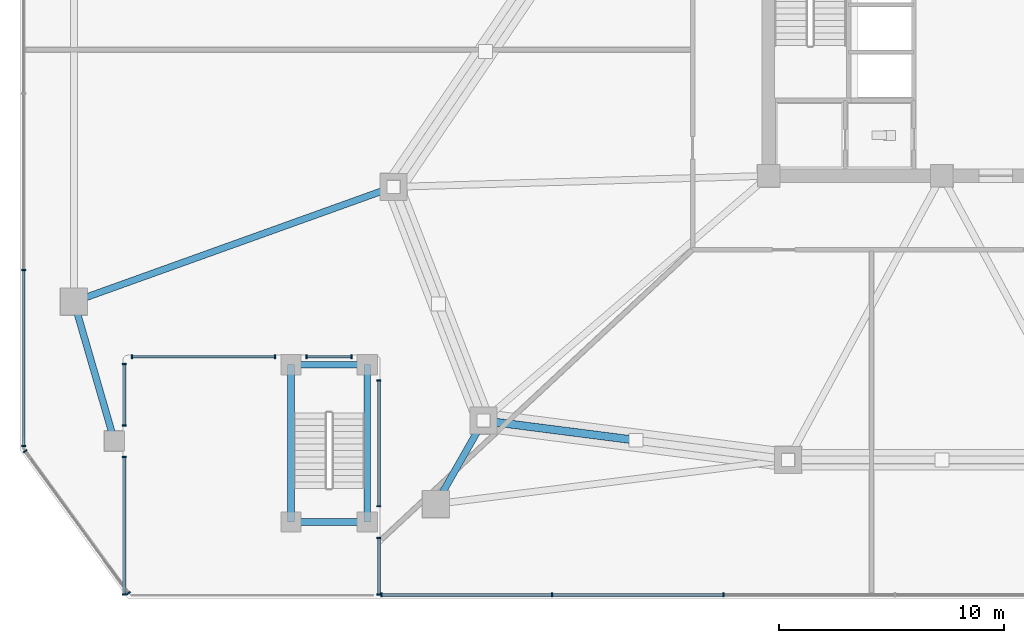
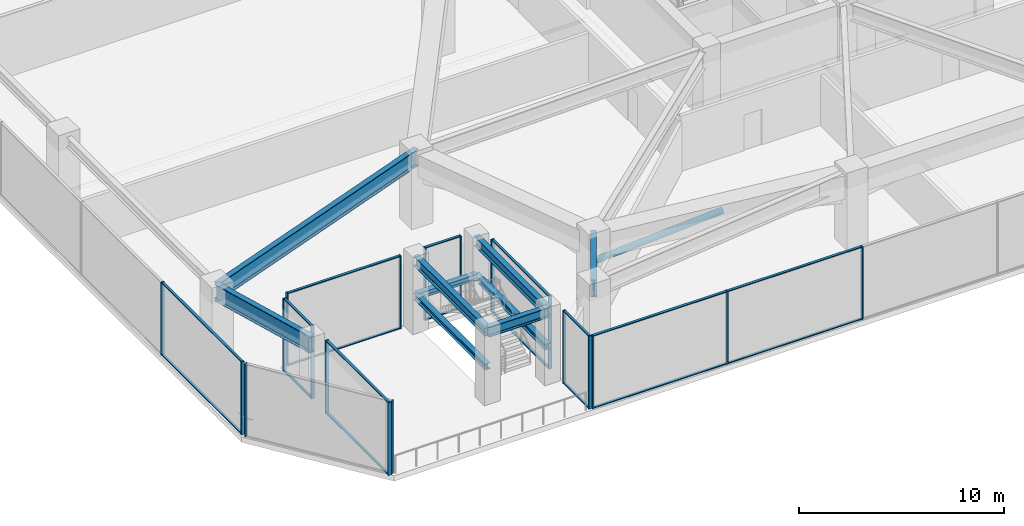
# One storey, part 2 of 23: 38 members, 9 beams, 9 elements without a shape of their own.
"""IFC4 building model written with IfcOpenShell, lengths in metres."""

from ifc_helpers import new_model, si_unit, direction, frame, origin, origin_2d, place, context, subcontext, project, spatial, rectangle, hollow_circle, i_section, extrude, material, material_profile, profile_set, type_object, element, aggregate, save


model = new_model("IFC4")

# Units and contexts
model_context = context("Model", 3, precision=1e-05, world=origin(), true_north=direction((0.0, 1.0)))
body_context = subcontext(model_context, "Body", "Model", "MODEL_VIEW")
ifc_project = project(units=[si_unit("LENGTHUNIT", "METRE"), si_unit("AREAUNIT", "SQUARE_METRE"), si_unit("VOLUMEUNIT", "CUBIC_METRE"), si_unit("PLANEANGLEUNIT", "RADIAN"), si_unit("MASSUNIT", "GRAM", prefix="KILO")], contexts=[model_context])

# Site, building, storey
site_placement = place(None, origin())
site = spatial("IfcSite", under=ifc_project, at=site_placement, CompositionType="ELEMENT")
building_placement = place(site_placement, origin())
building = spatial("IfcBuilding", under=site, at=building_placement, Name="Savorim Split Tower", CompositionType="ELEMENT")
storey_placement = place(building_placement, frame((0.0, 0.0, 21.800048828125)))
storey = spatial("IfcBuildingStorey", under=building, at=storey_placement, Name="L05", CompositionType="ELEMENT", Elevation=21.800048828125)

# Beams
ifc_material_1 = material(Name="Steel S355", Category="steel")
ifc_material_profile_1 = material_profile(ifc_material_1, i_section(OverallWidth=0.300048828125, OverallDepth=0.60009765625, WebThickness=0.015380859375, FlangeThickness=0.030029296875, FilletRadius=0.027099609375, at=origin_2d()), Name="HEB 600")
ifc_profile_set_1 = profile_set([ifc_material_profile_1], Name="Steel S355")
beam_type_1 = type_object("IfcBeamType", Name="BM-PRI-HEB600", PredefinedType="BEAM", material=ifc_profile_set_1)
beam_1_placement = place(storey_placement, frame((-28.949951171875, -24.800048828125, 4.050048828125), z_axis=(1.0, 0.0, 0.0), x_axis=(0.0, 1.0, 0.0)))
element("IfcBeam", 1, at=beam_1_placement, inside=storey, type_object=beam_type_1, Name="L05 Exterior Garden Stair Framing Beam 1", PredefinedType="BEAM", context=body_context, shape_type="SweptSolid", body=[
    extrude(i_section(OverallWidth=0.300048828125, OverallDepth=0.60009765625, WebThickness=0.015380859375, FlangeThickness=0.030029296875, FilletRadius=0.027099609375, at=origin_2d()), origin(), (0.0, 0.0, 1.0), 3.39990234375),
])
for number, where, z_axis, x_axis, name in (
    (2, (-28.949951171875, -24.800048828125, 4.050048828125), (0.0, 1.0, 0.0), (-1.0, 0.0, 0.0), "L05 Exterior Garden Stair Framing Beam 3"),
    (3, (-25.550048828125, -24.800048828125, 4.050048828125), (0.0, 1.0, 0.0), (-1.0, 0.0, 0.0), "L05 Exterior Garden Stair Framing Beam 4"),
):
    element("IfcBeam", number, at=place(storey_placement, frame(where, z_axis=z_axis, x_axis=x_axis)), inside=storey, type_object=beam_type_1, Name=name, PredefinedType="BEAM", context=body_context, shape_type="SweptSolid", body=[
        extrude(i_section(OverallWidth=0.300048828125, OverallDepth=0.60009765625, WebThickness=0.015380859375, FlangeThickness=0.030029296875, FilletRadius=0.027099609375, at=origin_2d()), origin(), (0.0, 0.0, 1.0), 7.0),
    ])
ifc_material_profile_2 = material_profile(ifc_material_1, i_section(OverallWidth=0.300048828125, OverallDepth=0.35009765625, WebThickness=0.010009765625, FlangeThickness=0.017578125, FilletRadius=0.027099609375, at=origin_2d()), Name="HEA 360")
ifc_profile_set_2 = profile_set([ifc_material_profile_2], Name="Steel S355")
beam_type_2 = type_object("IfcBeamType", Name="BM-SPN-HEA360", PredefinedType="SPANDREL", material=ifc_profile_set_2)
beam_2_placement = place(storey_placement, frame((-28.949951171875, -17.800048828125, 1.925048828125), z_axis=(1.0, 0.0, 0.0), x_axis=(0.0, 1.0, 0.0)))
element("IfcBeam", 4, at=beam_2_placement, inside=storey, type_object=beam_type_2, Name="L05 Garden Stair Half-Landing Beam 1", PredefinedType="SPANDREL", context=body_context, shape_type="SweptSolid", body=[
    extrude(i_section(OverallWidth=0.300048828125, OverallDepth=0.35009765625, WebThickness=0.010009765625, FlangeThickness=0.017578125, FilletRadius=0.027099609375, at=origin_2d()), origin(), (0.0, 0.0, 1.0), 3.39990234375),
])
for number, where, z_axis, x_axis, name in (
    (5, (-28.949951171875, -24.800048828125, 1.925048828125), (0.0, 1.0, 0.0), (-1.0, 0.0, 0.0), "L05 Garden Stair Half-Landing Beam 2"),
    (6, (-25.550048828125, -24.800048828125, 1.925048828125), (0.0, 1.0, 0.0), (-1.0, 0.0, 0.0), "L05 Garden Stair Half-Landing Beam 3"),
):
    element("IfcBeam", number, at=place(storey_placement, frame(where, z_axis=z_axis, x_axis=x_axis)), inside=storey, type_object=beam_type_2, Name=name, PredefinedType="SPANDREL", context=body_context, shape_type="SweptSolid", body=[
        extrude(i_section(OverallWidth=0.300048828125, OverallDepth=0.35009765625, WebThickness=0.010009765625, FlangeThickness=0.017578125, FilletRadius=0.027099609375, at=origin_2d()), origin(), (0.0, 0.0, 1.0), 7.0),
    ])
ifc_material_2 = material(Name="Steel S460", Category="steel")
ifc_material_profile_3 = material_profile(ifc_material_2, i_section(OverallWidth=0.302001953125, OverallDepth=1.008056640625, WebThickness=0.02099609375, FlangeThickness=0.0400390625, FilletRadius=0.030029296875, at=origin_2d()), Name="HE 1000 M")
ifc_profile_set_3 = profile_set([ifc_material_profile_3], Name="Steel S460")
beam_type_3 = type_object("IfcBeamType", Name="BM-TRF-HEM1000", PredefinedType="BEAM", material=ifc_profile_set_3)
beam_3_placement = place(storey_placement, frame((-22.5, -24.0, 3.845947265625), z_axis=(0.495603085314, 0.868549124591, 0.0), x_axis=(-0.868549124591, 0.495603085314, 0.0)))
element("IfcBeam", 7, at=beam_3_placement, inside=storey, type_object=beam_type_3, Name="L05 Podium Primary Girder BG-01", PredefinedType="BEAM", context=body_context, shape_type="SweptSolid", body=[
    extrude(i_section(OverallWidth=0.302001953125, OverallDepth=1.008056640625, WebThickness=0.02099609375, FlangeThickness=0.0400390625, FilletRadius=0.030029296875, at=origin_2d()), origin(), (0.0, 0.0, 1.0), 4.26953125),
])
beam_4_placement = place(storey_placement, frame((-38.60009765625, -15.0, 3.845947265625), z_axis=(0.941138119123, 0.338022248874, 0.0), x_axis=(-0.338022248874, 0.941138119123, 0.0)))
element("IfcBeam", 8, at=beam_4_placement, inside=storey, type_object=beam_type_3, Name="L05 Podium Primary Girder BG-19", PredefinedType="BEAM", context=body_context, shape_type="SweptSolid", body=[
    extrude(i_section(OverallWidth=0.302001953125, OverallDepth=1.008056640625, WebThickness=0.02099609375, FlangeThickness=0.0400390625, FilletRadius=0.030029296875, at=origin_2d()), origin(), (0.0, 0.0, 1.0), 15.104736328125),
])
beam_5_placement = place(storey_placement, frame((-38.60009765625, -15.0, 3.845947265625), z_axis=(0.278819195264, -0.960343613689, 0.0), x_axis=(0.960343613689, 0.278819195264, 0.0)))
element("IfcBeam", 9, at=beam_5_placement, inside=storey, type_object=beam_type_3, Name="L05 Podium Primary Girder BG-20", PredefinedType="BEAM", context=body_context, shape_type="SweptSolid", body=[
    extrude(i_section(OverallWidth=0.302001953125, OverallDepth=1.008056640625, WebThickness=0.02099609375, FlangeThickness=0.0400390625, FilletRadius=0.030029296875, at=origin_2d()), origin(), (0.0, 0.0, 1.0), 6.4560546875),
])

# Curtain wall, members
ifc_material_3 = material(Name="Dark Ceramic-Fritted Insulated Glass", Category="glass")
curtain_wall_type = type_object("IfcCurtainWallType", Name="CW-REFUGE-LVR", PredefinedType="NOTDEFINED", material=ifc_material_3)
curtain_wall_1_placement = place(storey_placement, origin())
curtain_wall_1 = element("IfcCurtainWall", 10, at=curtain_wall_1_placement, inside=storey, type_object=curtain_wall_type, Name="L05 Curtain Wall CW-L05-E01S1", PredefinedType="NOTDEFINED")
ifc_material_4 = material(Name="Charcoal Anodised Aluminium", Category="aluminium")
ifc_material_profile_4 = material_profile(ifc_material_4, rectangle(XDim=0.179931640625, YDim=0.06494140625, at=origin_2d()), Name="ALU-M 180x65")
ifc_profile_set_4 = profile_set([ifc_material_profile_4], Name="Charcoal Anodised Aluminium")
member_type_1 = type_object("IfcMemberType", Name="CWM-180x65", PredefinedType="MULLION", material=ifc_profile_set_4)
member_1_placement = place(storey_placement, frame((-36.360107421875, -28.027587890625, 0.0), z_axis=(0.0, 0.0, 1.0), x_axis=(-1.0, 0.0, 0.0)))
member_1 = element("IfcMember", 11, at=member_1_placement, type_object=member_type_1, Name="CW-06 mullion 1", PredefinedType="MULLION", context=body_context, shape_type="SweptSolid", body=[
    extrude(rectangle(XDim=0.179931640625, YDim=0.06494140625, at=origin_2d()), origin(), (0.0, 0.0, 1.0), 4.349853515625),
])
member_2_placement = place(storey_placement, frame((-36.360107421875, -21.902587890625, 0.0), z_axis=(0.0, 0.0, 1.0), x_axis=(-1.0, 0.0, 0.0)))
member_2 = element("IfcMember", 12, at=member_2_placement, type_object=member_type_1, Name="CW-06 mullion 2", PredefinedType="MULLION", context=body_context, shape_type="SweptSolid", body=[
    extrude(rectangle(XDim=0.179931640625, YDim=0.06494140625, at=origin_2d()), origin(), (0.0, 0.0, 1.0), 4.349853515625),
])

curtain_wall_2_placement = place(storey_placement, origin())
curtain_wall_2 = element("IfcCurtainWall", 13, at=curtain_wall_2_placement, inside=storey, type_object=curtain_wall_type, Name="L05 Curtain Wall CW-L05-E01S2", PredefinedType="NOTDEFINED")
member_3_placement = place(storey_placement, frame((-36.360107421875, -20.49755859375, 0.0), z_axis=(0.0, 0.0, 1.0), x_axis=(-1.0, 0.0, 0.0)))
member_3 = element("IfcMember", 14, at=member_3_placement, type_object=member_type_1, Name="CW-06 mullion 1", PredefinedType="MULLION", context=body_context, shape_type="SweptSolid", body=[
    extrude(rectangle(XDim=0.179931640625, YDim=0.06494140625, at=origin_2d()), origin(), (0.0, 0.0, 1.0), 4.349853515625),
])
member_4_placement = place(storey_placement, frame((-36.360107421875, -17.7724609375, 0.0), z_axis=(0.0, 0.0, 1.0), x_axis=(-1.0, 0.0, 0.0)))
member_4 = element("IfcMember", 15, at=member_4_placement, type_object=member_type_1, Name="CW-06 mullion 2", PredefinedType="MULLION", context=body_context, shape_type="SweptSolid", body=[
    extrude(rectangle(XDim=0.179931640625, YDim=0.06494140625, at=origin_2d()), origin(), (0.0, 0.0, 1.0), 4.349853515625),
])

curtain_wall_3_placement = place(storey_placement, origin())
curtain_wall_3 = element("IfcCurtainWall", 16, at=curtain_wall_3_placement, inside=storey, type_object=curtain_wall_type, Name="L05 Curtain Wall CW-L05-E02S1", PredefinedType="NOTDEFINED")
member_5_placement = place(storey_placement, frame((-36.027587890625, -17.43994140625, 0.0), z_axis=(0.0, 0.0, 1.0), x_axis=(0.0, 1.0, 0.0)))
member_5 = element("IfcMember", 17, at=member_5_placement, type_object=member_type_1, Name="CW-06 mullion 1", PredefinedType="MULLION", context=body_context, shape_type="SweptSolid", body=[
    extrude(rectangle(XDim=0.179931640625, YDim=0.06494140625, at=origin_2d()), origin(), (0.0, 0.0, 1.0), 4.349853515625),
])
member_6_placement = place(storey_placement, frame((-29.652587890625, -17.43994140625, 0.0), z_axis=(0.0, 0.0, 1.0), x_axis=(0.0, 1.0, 0.0)))
member_6 = element("IfcMember", 18, at=member_6_placement, type_object=member_type_1, Name="CW-06 mullion 2", PredefinedType="MULLION", context=body_context, shape_type="SweptSolid", body=[
    extrude(rectangle(XDim=0.179931640625, YDim=0.06494140625, at=origin_2d()), origin(), (0.0, 0.0, 1.0), 4.349853515625),
])

curtain_wall_4_placement = place(storey_placement, origin())
curtain_wall_4 = element("IfcCurtainWall", 19, at=curtain_wall_4_placement, inside=storey, type_object=curtain_wall_type, Name="L05 Curtain Wall CW-L05-E02S2", PredefinedType="NOTDEFINED")
member_7_placement = place(storey_placement, frame((-28.24755859375, -17.43994140625, 0.0), z_axis=(0.0, 0.0, 1.0), x_axis=(0.0, 1.0, 0.0)))
member_7 = element("IfcMember", 20, at=member_7_placement, type_object=member_type_1, Name="CW-06 mullion 1", PredefinedType="MULLION", context=body_context, shape_type="SweptSolid", body=[
    extrude(rectangle(XDim=0.179931640625, YDim=0.06494140625, at=origin_2d()), origin(), (0.0, 0.0, 1.0), 4.349853515625),
])
member_8_placement = place(storey_placement, frame((-26.25244140625, -17.43994140625, 0.0), z_axis=(0.0, 0.0, 1.0), x_axis=(0.0, 1.0, 0.0)))
member_8 = element("IfcMember", 21, at=member_8_placement, type_object=member_type_1, Name="CW-06 mullion 2", PredefinedType="MULLION", context=body_context, shape_type="SweptSolid", body=[
    extrude(rectangle(XDim=0.179931640625, YDim=0.06494140625, at=origin_2d()), origin(), (0.0, 0.0, 1.0), 4.349853515625),
])

curtain_wall_5_placement = place(storey_placement, origin())
curtain_wall_5 = element("IfcCurtainWall", 22, at=curtain_wall_5_placement, inside=storey, type_object=curtain_wall_type, Name="L05 Curtain Wall CW-L05-E03S1", PredefinedType="NOTDEFINED")
member_9_placement = place(storey_placement, frame((-25.0400390625, -18.50244140625, 0.0), z_axis=(0.0, 0.0, 1.0), x_axis=(1.0, 0.0, 0.0)))
member_9 = element("IfcMember", 23, at=member_9_placement, type_object=member_type_1, Name="CW-06 mullion 1", PredefinedType="MULLION", context=body_context, shape_type="SweptSolid", body=[
    extrude(rectangle(XDim=0.179931640625, YDim=0.06494140625, at=origin_2d()), origin(), (0.0, 0.0, 1.0), 4.349853515625),
])
member_10_placement = place(storey_placement, frame((-25.0400390625, -24.097412109375, 0.0), z_axis=(0.0, 0.0, 1.0), x_axis=(1.0, 0.0, 0.0)))
member_10 = element("IfcMember", 24, at=member_10_placement, type_object=member_type_1, Name="CW-06 mullion 2", PredefinedType="MULLION", context=body_context, shape_type="SweptSolid", body=[
    extrude(rectangle(XDim=0.179931640625, YDim=0.06494140625, at=origin_2d()), origin(), (0.0, 0.0, 1.0), 4.349853515625),
])

curtain_wall_6_placement = place(storey_placement, origin())
curtain_wall_6 = element("IfcCurtainWall", 25, at=curtain_wall_6_placement, inside=storey, type_object=curtain_wall_type, Name="L05 Curtain Wall CW-L05-E03S2", PredefinedType="NOTDEFINED")
member_11_placement = place(storey_placement, frame((-25.0400390625, -25.50244140625, 0.0), z_axis=(0.0, 0.0, 1.0), x_axis=(1.0, 0.0, 0.0)))
member_11 = element("IfcMember", 26, at=member_11_placement, type_object=member_type_1, Name="CW-06 mullion 1", PredefinedType="MULLION", context=body_context, shape_type="SweptSolid", body=[
    extrude(rectangle(XDim=0.179931640625, YDim=0.06494140625, at=origin_2d()), origin(), (0.0, 0.0, 1.0), 4.349853515625),
])
member_12_placement = place(storey_placement, frame((-25.0400390625, -28.027587890625, 0.0), z_axis=(0.0, 0.0, 1.0), x_axis=(1.0, 0.0, 0.0)))
member_12 = element("IfcMember", 27, at=member_12_placement, type_object=member_type_1, Name="CW-06 mullion 2", PredefinedType="MULLION", context=body_context, shape_type="SweptSolid", body=[
    extrude(rectangle(XDim=0.179931640625, YDim=0.06494140625, at=origin_2d()), origin(), (0.0, 0.0, 1.0), 4.349853515625),
])

curtain_wall_7_placement = place(storey_placement, origin())
curtain_wall_7 = element("IfcCurtainWall", 28, at=curtain_wall_7_placement, inside=storey, type_object=curtain_wall_type, Name="L05 Curtain Wall CW-L05-E04", PredefinedType="NOTDEFINED")
member_13_placement = place(storey_placement, frame((-24.922607421875, -28.0400390625, 0.0), z_axis=(0.0, 0.0, 1.0), x_axis=(0.0, 1.0, 0.0)))
member_13 = element("IfcMember", 29, at=member_13_placement, type_object=member_type_1, Name="CW-06 mullion 1", PredefinedType="MULLION", context=body_context, shape_type="SweptSolid", body=[
    extrude(rectangle(XDim=0.179931640625, YDim=0.06494140625, at=origin_2d()), origin(), (0.0, 0.0, 1.0), 4.349853515625),
])
member_14_placement = place(storey_placement, frame((-17.328125, -28.0400390625, 0.0), z_axis=(0.0, 0.0, 1.0), x_axis=(0.0, 1.0, 0.0)))
member_14 = element("IfcMember", 30, at=member_14_placement, type_object=member_type_1, Name="CW-06 mullion 2", PredefinedType="MULLION", context=body_context, shape_type="SweptSolid", body=[
    extrude(rectangle(XDim=0.179931640625, YDim=0.06494140625, at=origin_2d()), origin(), (0.0, 0.0, 1.0), 4.349853515625),
])
member_15_placement = place(storey_placement, frame((-9.701171875, -28.0400390625, 0.0), z_axis=(0.0, 0.0, 1.0), x_axis=(0.0, 1.0, 0.0)))
member_15 = element("IfcMember", 31, at=member_15_placement, type_object=member_type_1, Name="CW-06 mullion 3", PredefinedType="MULLION", context=body_context, shape_type="SweptSolid", body=[
    extrude(rectangle(XDim=0.179931640625, YDim=0.06494140625, at=origin_2d()), origin(), (0.0, 0.0, 1.0), 4.349853515625),
])

curtain_wall_8_placement = place(storey_placement, origin())
curtain_wall_8 = element("IfcCurtainWall", 32, at=curtain_wall_8_placement, inside=storey, type_object=curtain_wall_type, Name="L05 Curtain Wall CW-L05-E10", PredefinedType="NOTDEFINED")
member_16_placement = place(storey_placement, frame((-40.840087890625, -13.595947265625, 0.0), z_axis=(0.0, 0.0, 1.0), x_axis=(1.0, 0.0, 0.0)))
member_16 = element("IfcMember", 33, at=member_16_placement, type_object=member_type_1, Name="CW-06 mullion 5", PredefinedType="MULLION", context=body_context, shape_type="SweptSolid", body=[
    extrude(rectangle(XDim=0.179931640625, YDim=0.06494140625, at=origin_2d()), origin(), (0.0, 0.0, 1.0), 4.349853515625),
])
member_17_placement = place(storey_placement, frame((-40.840087890625, -21.427490234375, 0.0), z_axis=(0.0, 0.0, 1.0), x_axis=(1.0, 0.0, 0.0)))
member_17 = element("IfcMember", 34, at=member_17_placement, type_object=member_type_1, Name="CW-06 mullion 6", PredefinedType="MULLION", context=body_context, shape_type="SweptSolid", body=[
    extrude(rectangle(XDim=0.179931640625, YDim=0.06494140625, at=origin_2d()), origin(), (0.0, 0.0, 1.0), 4.349853515625),
])

curtain_wall_9_placement = place(storey_placement, origin())
curtain_wall_9 = element("IfcCurtainWall", 35, at=curtain_wall_9_placement, inside=storey, type_object=curtain_wall_type, Name="L05 Curtain Wall CW-L05-E11", PredefinedType="NOTDEFINED")
member_18_placement = place(storey_placement, frame((-40.769287109375, -21.645263671875, 0.0), z_axis=(0.0, 0.0, 1.0), x_axis=(0.808732792063, 0.588176224478, 0.0)))
member_18 = element("IfcMember", 36, at=member_18_placement, type_object=member_type_1, Name="CW-06 mullion 1", PredefinedType="MULLION", context=body_context, shape_type="SweptSolid", body=[
    extrude(rectangle(XDim=0.179931640625, YDim=0.06494140625, at=origin_2d()), origin(), (0.0, 0.0, 1.0), 4.349853515625),
])
member_19_placement = place(storey_placement, frame((-36.172119140625, -27.96630859375, 0.0), z_axis=(0.0, 0.0, 1.0), x_axis=(0.808732792063, 0.588176224478, 0.0)))
member_19 = element("IfcMember", 37, at=member_19_placement, type_object=member_type_1, Name="CW-06 mullion 2", PredefinedType="MULLION", context=body_context, shape_type="SweptSolid", body=[
    extrude(rectangle(XDim=0.179931640625, YDim=0.06494140625, at=origin_2d()), origin(), (0.0, 0.0, 1.0), 4.349853515625),
])
aggregate(curtain_wall_9, [member_18, member_19])

# Member
ifc_material_profile_5 = material_profile(ifc_material_4, rectangle(XDim=0.139892578125, YDim=0.054931640625, at=origin_2d()), Name="ALU-T 140x55")
ifc_profile_set_5 = profile_set([ifc_material_profile_5], Name="Charcoal Anodised Aluminium")
member_type_2 = type_object("IfcMemberType", Name="CWT-140x55", PredefinedType="USERDEFINED", material=ifc_profile_set_5)
member_20_placement = place(storey_placement, frame((-36.360107421875, -27.9951171875, 0.02734375), z_axis=(0.0, 1.0, 0.0), x_axis=(-1.0, 0.0, 0.0)))
member_20 = element("IfcMember", 38, at=member_20_placement, type_object=member_type_2, Name="CW-06 transom 1.1", ObjectType="TRANSOM", PredefinedType="USERDEFINED", context=body_context, shape_type="SweptSolid", body=[
    extrude(rectangle(XDim=0.139892578125, YDim=0.054931640625, at=origin_2d()), origin(), (0.0, 0.0, 1.0), 6.06005859375),
])

member_21_placement = place(storey_placement, frame((-36.360107421875, -27.9951171875, 4.322509765625), z_axis=(0.0, 1.0, 0.0), x_axis=(-1.0, 0.0, 0.0)))
member_21 = element("IfcMember", 39, at=member_21_placement, type_object=member_type_2, Name="CW-06 transom 1.2", ObjectType="TRANSOM", PredefinedType="USERDEFINED", context=body_context, shape_type="SweptSolid", body=[
    extrude(rectangle(XDim=0.139892578125, YDim=0.054931640625, at=origin_2d()), origin(), (0.0, 0.0, 1.0), 6.06005859375),
])

aggregate(curtain_wall_1, [member_1, member_2, member_20, member_21])

member_22_placement = place(storey_placement, frame((-36.360107421875, -20.465087890625, 0.02734375), z_axis=(0.0, 1.0, 0.0), x_axis=(-1.0, 0.0, 0.0)))
member_22 = element("IfcMember", 40, at=member_22_placement, type_object=member_type_2, Name="CW-06 transom 1.1", ObjectType="TRANSOM", PredefinedType="USERDEFINED", context=body_context, shape_type="SweptSolid", body=[
    extrude(rectangle(XDim=0.139892578125, YDim=0.054931640625, at=origin_2d()), origin(), (0.0, 0.0, 1.0), 2.66015625),
])

member_23_placement = place(storey_placement, frame((-36.360107421875, -20.465087890625, 4.322509765625), z_axis=(0.0, 1.0, 0.0), x_axis=(-1.0, 0.0, 0.0)))
member_23 = element("IfcMember", 41, at=member_23_placement, type_object=member_type_2, Name="CW-06 transom 1.2", ObjectType="TRANSOM", PredefinedType="USERDEFINED", context=body_context, shape_type="SweptSolid", body=[
    extrude(rectangle(XDim=0.139892578125, YDim=0.054931640625, at=origin_2d()), origin(), (0.0, 0.0, 1.0), 2.66015625),
])

aggregate(curtain_wall_2, [member_3, member_4, member_22, member_23])

member_24_placement = place(storey_placement, frame((-35.9951171875, -17.43994140625, 0.02734375), z_axis=(1.0, 0.0, 0.0), x_axis=(0.0, 1.0, 0.0)))
member_24 = element("IfcMember", 42, at=member_24_placement, type_object=member_type_2, Name="CW-06 transom 1.1", ObjectType="TRANSOM", PredefinedType="USERDEFINED", context=body_context, shape_type="SweptSolid", body=[
    extrude(rectangle(XDim=0.139892578125, YDim=0.054931640625, at=origin_2d()), origin(), (0.0, 0.0, 1.0), 6.31005859375),
])

member_25_placement = place(storey_placement, frame((-35.9951171875, -17.43994140625, 4.322509765625), z_axis=(1.0, 0.0, 0.0), x_axis=(0.0, 1.0, 0.0)))
member_25 = element("IfcMember", 43, at=member_25_placement, type_object=member_type_2, Name="CW-06 transom 1.2", ObjectType="TRANSOM", PredefinedType="USERDEFINED", context=body_context, shape_type="SweptSolid", body=[
    extrude(rectangle(XDim=0.139892578125, YDim=0.054931640625, at=origin_2d()), origin(), (0.0, 0.0, 1.0), 6.31005859375),
])

aggregate(curtain_wall_3, [member_5, member_6, member_24, member_25])

member_26_placement = place(storey_placement, frame((-28.215087890625, -17.43994140625, 0.02734375), z_axis=(1.0, 0.0, 0.0), x_axis=(0.0, 1.0, 0.0)))
member_26 = element("IfcMember", 44, at=member_26_placement, type_object=member_type_2, Name="CW-06 transom 1.1", ObjectType="TRANSOM", PredefinedType="USERDEFINED", context=body_context, shape_type="SweptSolid", body=[
    extrude(rectangle(XDim=0.139892578125, YDim=0.054931640625, at=origin_2d()), origin(), (0.0, 0.0, 1.0), 1.93017578125),
])

member_27_placement = place(storey_placement, frame((-28.215087890625, -17.43994140625, 4.322509765625), z_axis=(1.0, 0.0, 0.0), x_axis=(0.0, 1.0, 0.0)))
member_27 = element("IfcMember", 45, at=member_27_placement, type_object=member_type_2, Name="CW-06 transom 1.2", ObjectType="TRANSOM", PredefinedType="USERDEFINED", context=body_context, shape_type="SweptSolid", body=[
    extrude(rectangle(XDim=0.139892578125, YDim=0.054931640625, at=origin_2d()), origin(), (0.0, 0.0, 1.0), 1.93017578125),
])

aggregate(curtain_wall_4, [member_7, member_8, member_26, member_27])

member_28_placement = place(storey_placement, frame((-25.0400390625, -18.534912109375, 0.02734375), z_axis=(0.0, -1.0, 0.0), x_axis=(1.0, 0.0, 0.0)))
member_28 = element("IfcMember", 46, at=member_28_placement, type_object=member_type_2, Name="CW-06 transom 1.1", ObjectType="TRANSOM", PredefinedType="USERDEFINED", context=body_context, shape_type="SweptSolid", body=[
    extrude(rectangle(XDim=0.139892578125, YDim=0.054931640625, at=origin_2d()), origin(), (0.0, 0.0, 1.0), 5.530029296875),
])

member_29_placement = place(storey_placement, frame((-25.0400390625, -18.534912109375, 4.322509765625), z_axis=(0.0, -1.0, 0.0), x_axis=(1.0, 0.0, 0.0)))
member_29 = element("IfcMember", 47, at=member_29_placement, type_object=member_type_2, Name="CW-06 transom 1.2", ObjectType="TRANSOM", PredefinedType="USERDEFINED", context=body_context, shape_type="SweptSolid", body=[
    extrude(rectangle(XDim=0.139892578125, YDim=0.054931640625, at=origin_2d()), origin(), (0.0, 0.0, 1.0), 5.530029296875),
])

aggregate(curtain_wall_5, [member_9, member_10, member_28, member_29])

member_30_placement = place(storey_placement, frame((-25.0400390625, -25.534912109375, 0.02734375), z_axis=(0.0, -1.0, 0.0), x_axis=(1.0, 0.0, 0.0)))
member_30 = element("IfcMember", 48, at=member_30_placement, type_object=member_type_2, Name="CW-06 transom 1.1", ObjectType="TRANSOM", PredefinedType="USERDEFINED", context=body_context, shape_type="SweptSolid", body=[
    extrude(rectangle(XDim=0.139892578125, YDim=0.054931640625, at=origin_2d()), origin(), (0.0, 0.0, 1.0), 2.460205078125),
])

member_31_placement = place(storey_placement, frame((-25.0400390625, -25.534912109375, 4.322509765625), z_axis=(0.0, -1.0, 0.0), x_axis=(1.0, 0.0, 0.0)))
member_31 = element("IfcMember", 49, at=member_31_placement, type_object=member_type_2, Name="CW-06 transom 1.2", ObjectType="TRANSOM", PredefinedType="USERDEFINED", context=body_context, shape_type="SweptSolid", body=[
    extrude(rectangle(XDim=0.139892578125, YDim=0.054931640625, at=origin_2d()), origin(), (0.0, 0.0, 1.0), 2.460205078125),
])

aggregate(curtain_wall_6, [member_11, member_12, member_30, member_31])

member_32_placement = place(storey_placement, frame((-24.889892578125, -28.0400390625, 0.02734375), z_axis=(1.0, 0.0, 0.0), x_axis=(0.0, 1.0, 0.0)))
member_32 = element("IfcMember", 50, at=member_32_placement, type_object=member_type_2, Name="CW-06 transom 1.1", ObjectType="TRANSOM", PredefinedType="USERDEFINED", context=body_context, shape_type="SweptSolid", body=[
    extrude(rectangle(XDim=0.139892578125, YDim=0.054931640625, at=origin_2d()), origin(), (0.0, 0.0, 1.0), 7.529296875),
])

member_33_placement = place(storey_placement, frame((-24.889892578125, -28.0400390625, 4.322509765625), z_axis=(1.0, 0.0, 0.0), x_axis=(0.0, 1.0, 0.0)))
member_33 = element("IfcMember", 51, at=member_33_placement, type_object=member_type_2, Name="CW-06 transom 1.2", ObjectType="TRANSOM", PredefinedType="USERDEFINED", context=body_context, shape_type="SweptSolid", body=[
    extrude(rectangle(XDim=0.139892578125, YDim=0.054931640625, at=origin_2d()), origin(), (0.0, 0.0, 1.0), 7.529296875),
])

member_34_placement = place(storey_placement, frame((-17.295654296875, -28.0400390625, 0.02734375), z_axis=(1.0, 0.0, 0.0), x_axis=(0.0, 1.0, 0.0)))
member_34 = element("IfcMember", 52, at=member_34_placement, type_object=member_type_2, Name="CW-06 transom 2.1", ObjectType="TRANSOM", PredefinedType="USERDEFINED", context=body_context, shape_type="SweptSolid", body=[
    extrude(rectangle(XDim=0.139892578125, YDim=0.054931640625, at=origin_2d()), origin(), (0.0, 0.0, 1.0), 7.56201171875),
])

member_35_placement = place(storey_placement, frame((-17.295654296875, -28.0400390625, 4.322509765625), z_axis=(1.0, 0.0, 0.0), x_axis=(0.0, 1.0, 0.0)))
member_35 = element("IfcMember", 53, at=member_35_placement, type_object=member_type_2, Name="CW-06 transom 2.2", ObjectType="TRANSOM", PredefinedType="USERDEFINED", context=body_context, shape_type="SweptSolid", body=[
    extrude(rectangle(XDim=0.139892578125, YDim=0.054931640625, at=origin_2d()), origin(), (0.0, 0.0, 1.0), 7.56201171875),
])

aggregate(curtain_wall_7, [member_13, member_14, member_15, member_32, member_33, member_34, member_35])

member_36_placement = place(storey_placement, frame((-40.840087890625, -13.62841796875, 0.02734375), z_axis=(0.0, -1.0, 0.0), x_axis=(1.0, 0.0, 0.0)))
member_36 = element("IfcMember", 54, at=member_36_placement, type_object=member_type_2, Name="CW-06 transom 5.1", ObjectType="TRANSOM", PredefinedType="USERDEFINED", context=body_context, shape_type="SweptSolid", body=[
    extrude(rectangle(XDim=0.139892578125, YDim=0.054931640625, at=origin_2d()), origin(), (0.0, 0.0, 1.0), 7.7666015625),
])

member_37_placement = place(storey_placement, frame((-40.840087890625, -13.62841796875, 4.322509765625), z_axis=(0.0, -1.0, 0.0), x_axis=(1.0, 0.0, 0.0)))
member_37 = element("IfcMember", 55, at=member_37_placement, type_object=member_type_2, Name="CW-06 transom 5.2", ObjectType="TRANSOM", PredefinedType="USERDEFINED", context=body_context, shape_type="SweptSolid", body=[
    extrude(rectangle(XDim=0.139892578125, YDim=0.054931640625, at=origin_2d()), origin(), (0.0, 0.0, 1.0), 7.7666015625),
])

aggregate(curtain_wall_8, [member_16, member_17, member_36, member_37])

ifc_material_profile_6 = material_profile(ifc_material_2, hollow_circle(Radius=0.177734375, WallThickness=0.02001953125, at=origin_2d()), Name="CHS 355.6x20")
ifc_profile_set_6 = profile_set([ifc_material_profile_6], Name="Steel S460")
member_type_3 = type_object("IfcMemberType", Name="MBR-BLT-CHS355", PredefinedType="BRACE", material=ifc_profile_set_6)
member_38_placement = place(storey_placement, frame((-20.384033203125, -20.291748046875, 2.47998046875), z_axis=(0.977144576768, -0.125474446824, 0.171594403429), x_axis=(0.127363543463, 0.991856102364, 0.0)))
element("IfcMember", 56, at=member_38_placement, inside=storey, type_object=member_type_3, Name="L05 Transfer Belt Truss Brace 1A", PredefinedType="BRACE", context=body_context, shape_type="SweptSolid", body=[
    extrude(hollow_circle(Radius=0.177734375, WallThickness=0.02001953125, at=origin_2d()), origin(), (0.0, 0.0, 1.0), 6.9345703125),
])

save(model, "model.ifc")
